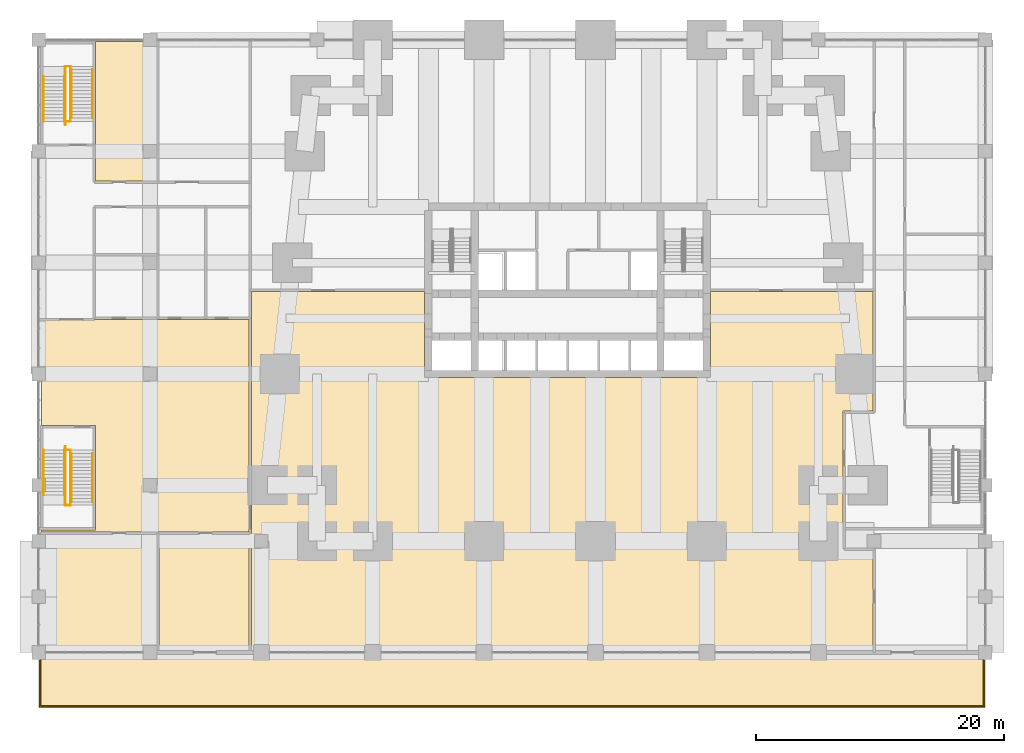
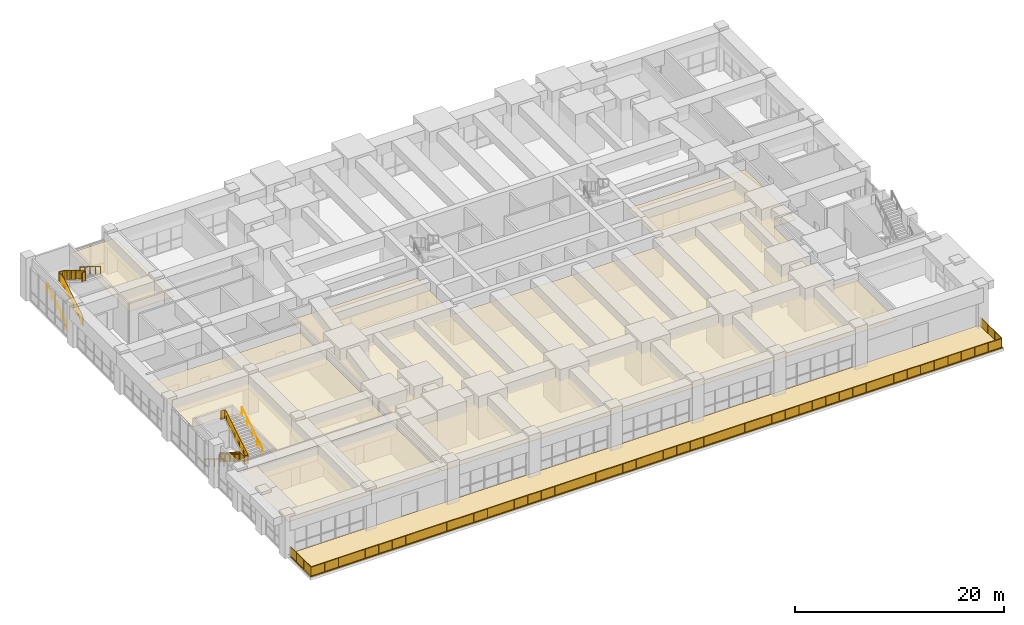
# One storey, part 25 of 27: 13 railings, 6 coverings.
"""IFC4 building model written with IfcOpenShell, lengths in metres."""

from ifc_helpers import new_model, si_unit, direction, frame, origin, origin_2d, place, context, subcontext, project, spatial, polyline, circle, outline, extrude, material, layer, layer_set, type_object, element, save


model = new_model("IFC4")

# Units and contexts
model_context = context("Model", 3, precision=1e-05, world=origin(), true_north=direction((0.0, 1.0)))
body_context = subcontext(model_context, "Body", "Model", "MODEL_VIEW")
ifc_project = project(units=[si_unit("LENGTHUNIT", "METRE"), si_unit("AREAUNIT", "SQUARE_METRE"), si_unit("VOLUMEUNIT", "CUBIC_METRE"), si_unit("PLANEANGLEUNIT", "RADIAN"), si_unit("MASSUNIT", "GRAM", prefix="KILO")], contexts=[model_context])

# Site, building, storey
site_placement = place(None, origin())
site = spatial("IfcSite", under=ifc_project, at=site_placement, CompositionType="ELEMENT")
building_placement = place(site_placement, origin())
building = spatial("IfcBuilding", under=site, at=building_placement, Name="Kilele Tower Hotel", CompositionType="ELEMENT")
storey_placement = place(building_placement, frame((0.0, 0.0, 6.0)))
storey = spatial("IfcBuildingStorey", under=building, at=storey_placement, Name="L01", CompositionType="ELEMENT", Elevation=6.0)

# Railings
ifc_material_1 = material(Name="Toughened laminated glass balustrade", Category="glass")
railing_type_1 = type_object("IfcRailingType", Name="Glass balustrade 1100", PredefinedType="BALUSTRADE", material=ifc_material_1)
railing_1_placement = place(storey_placement, frame((58.35009765625, -9.300048828125, 0.050048828125)))
element("IfcRailing", 1, at=railing_1_placement, inside=storey, type_object=railing_type_1, Name="Terrace balustrade", PredefinedType="BALUSTRADE", context=body_context, shape_type="SweptSolid", body=[
    extrude(circle(Radius=0.030029296875, at=origin_2d()), frame((0.0, 0.0, 1.070068359375), z_axis=(0.0, -1.0, 0.0), x_axis=(1.0, 0.0, 0.0)), (0.0, 0.0, 1.0), 4.050048828125),
    extrude(circle(Radius=0.030029296875, at=origin_2d()), frame((0.0, -4.050048828125, 1.070068359375), z_axis=(-1.0, 0.0, 0.0), x_axis=(0.0, -1.0, 0.0)), (0.0, 0.0, 1.0), 76.2001953125),
    extrude(circle(Radius=0.030029296875, at=origin_2d()), frame((-76.2001953125, -4.050048828125, 1.070068359375), z_axis=(0.0, 1.0, 0.0), x_axis=(-1.0, 0.0, 0.0)), (0.0, 0.0, 1.0), 4.050048828125),
    extrude(circle(Radius=0.02490234375, at=origin_2d()), origin(), (0.0, 0.0, 1.0), 1.0400390625),
    extrude(circle(Radius=0.02490234375, at=origin_2d()), frame((0.0, -1.35009765625, 0.0)), (0.0, 0.0, 1.0), 1.0400390625),
    extrude(circle(Radius=0.02490234375, at=origin_2d()), frame((0.0, -2.699951171875, 0.0)), (0.0, 0.0, 1.0), 1.0400390625),
    extrude(circle(Radius=0.02490234375, at=origin_2d()), frame((0.0, -4.050048828125, 0.0)), (0.0, 0.0, 1.0), 1.0400390625),
    extrude(circle(Radius=0.02490234375, at=origin_2d()), frame((-1.494140625, -4.050048828125, 0.0)), (0.0, 0.0, 1.0), 1.0400390625),
    extrude(circle(Radius=0.02490234375, at=origin_2d()), frame((-2.98828125, -4.050048828125, 0.0)), (0.0, 0.0, 1.0), 1.0400390625),
    extrude(circle(Radius=0.02490234375, at=origin_2d()), frame((-4.482421875, -4.050048828125, 0.0)), (0.0, 0.0, 1.0), 1.0400390625),
    extrude(circle(Radius=0.02490234375, at=origin_2d()), frame((-5.9765625, -4.050048828125, 0.0)), (0.0, 0.0, 1.0), 1.0400390625),
    extrude(circle(Radius=0.02490234375, at=origin_2d()), frame((-7.470703125, -4.050048828125, 0.0)), (0.0, 0.0, 1.0), 1.0400390625),
    extrude(circle(Radius=0.02490234375, at=origin_2d()), frame((-8.96484375, -4.050048828125, 0.0)), (0.0, 0.0, 1.0), 1.0400390625),
    extrude(circle(Radius=0.02490234375, at=origin_2d()), frame((-10.458740234375, -4.050048828125, 0.0)), (0.0, 0.0, 1.0), 1.0400390625),
    extrude(circle(Radius=0.02490234375, at=origin_2d()), frame((-11.952880859375, -4.050048828125, 0.0)), (0.0, 0.0, 1.0), 1.0400390625),
    extrude(circle(Radius=0.02490234375, at=origin_2d()), frame((-13.447021484375, -4.050048828125, 0.0)), (0.0, 0.0, 1.0), 1.0400390625),
    extrude(circle(Radius=0.02490234375, at=origin_2d()), frame((-14.941162109375, -4.050048828125, 0.0)), (0.0, 0.0, 1.0), 1.0400390625),
    extrude(circle(Radius=0.02490234375, at=origin_2d()), frame((-16.435302734375, -4.050048828125, 0.0)), (0.0, 0.0, 1.0), 1.0400390625),
    extrude(circle(Radius=0.02490234375, at=origin_2d()), frame((-17.929443359375, -4.050048828125, 0.0)), (0.0, 0.0, 1.0), 1.0400390625),
    extrude(circle(Radius=0.02490234375, at=origin_2d()), frame((-19.423583984375, -4.050048828125, 0.0)), (0.0, 0.0, 1.0), 1.0400390625),
    extrude(circle(Radius=0.02490234375, at=origin_2d()), frame((-20.917724609375, -4.050048828125, 0.0)), (0.0, 0.0, 1.0), 1.0400390625),
    extrude(circle(Radius=0.02490234375, at=origin_2d()), frame((-22.411865234375, -4.050048828125, 0.0)), (0.0, 0.0, 1.0), 1.0400390625),
    extrude(circle(Radius=0.02490234375, at=origin_2d()), frame((-23.906005859375, -4.050048828125, 0.0)), (0.0, 0.0, 1.0), 1.0400390625),
    extrude(circle(Radius=0.02490234375, at=origin_2d()), frame((-25.400146484375, -4.050048828125, 0.0)), (0.0, 0.0, 1.0), 1.0400390625),
    extrude(circle(Radius=0.02490234375, at=origin_2d()), frame((-26.894287109375, -4.050048828125, 0.0)), (0.0, 0.0, 1.0), 1.0400390625),
    extrude(circle(Radius=0.02490234375, at=origin_2d()), frame((-28.388427734375, -4.050048828125, 0.0)), (0.0, 0.0, 1.0), 1.0400390625),
    extrude(circle(Radius=0.02490234375, at=origin_2d()), frame((-29.88232421875, -4.050048828125, 0.0)), (0.0, 0.0, 1.0), 1.0400390625),
    extrude(circle(Radius=0.02490234375, at=origin_2d()), frame((-31.37646484375, -4.050048828125, 0.0)), (0.0, 0.0, 1.0), 1.0400390625),
    extrude(circle(Radius=0.02490234375, at=origin_2d()), frame((-32.87060546875, -4.050048828125, 0.0)), (0.0, 0.0, 1.0), 1.0400390625),
    extrude(circle(Radius=0.02490234375, at=origin_2d()), frame((-34.36474609375, -4.050048828125, 0.0)), (0.0, 0.0, 1.0), 1.0400390625),
    extrude(circle(Radius=0.02490234375, at=origin_2d()), frame((-35.85888671875, -4.050048828125, 0.0)), (0.0, 0.0, 1.0), 1.0400390625),
    extrude(circle(Radius=0.02490234375, at=origin_2d()), frame((-37.35302734375, -4.050048828125, 0.0)), (0.0, 0.0, 1.0), 1.0400390625),
    extrude(circle(Radius=0.02490234375, at=origin_2d()), frame((-38.84716796875, -4.050048828125, 0.0)), (0.0, 0.0, 1.0), 1.0400390625),
    extrude(circle(Radius=0.02490234375, at=origin_2d()), frame((-40.34130859375, -4.050048828125, 0.0)), (0.0, 0.0, 1.0), 1.0400390625),
    extrude(circle(Radius=0.02490234375, at=origin_2d()), frame((-41.83544921875, -4.050048828125, 0.0)), (0.0, 0.0, 1.0), 1.0400390625),
    extrude(circle(Radius=0.02490234375, at=origin_2d()), frame((-43.32958984375, -4.050048828125, 0.0)), (0.0, 0.0, 1.0), 1.0400390625),
    extrude(circle(Radius=0.02490234375, at=origin_2d()), frame((-44.82373046875, -4.050048828125, 0.0)), (0.0, 0.0, 1.0), 1.0400390625),
    extrude(circle(Radius=0.02490234375, at=origin_2d()), frame((-46.31787109375, -4.050048828125, 0.0)), (0.0, 0.0, 1.0), 1.0400390625),
    extrude(circle(Radius=0.02490234375, at=origin_2d()), frame((-47.811767578125, -4.050048828125, 0.0)), (0.0, 0.0, 1.0), 1.0400390625),
    extrude(circle(Radius=0.02490234375, at=origin_2d()), frame((-49.305908203125, -4.050048828125, 0.0)), (0.0, 0.0, 1.0), 1.0400390625),
    extrude(circle(Radius=0.02490234375, at=origin_2d()), frame((-50.800048828125, -4.050048828125, 0.0)), (0.0, 0.0, 1.0), 1.0400390625),
    extrude(circle(Radius=0.02490234375, at=origin_2d()), frame((-52.294189453125, -4.050048828125, 0.0)), (0.0, 0.0, 1.0), 1.0400390625),
    extrude(circle(Radius=0.02490234375, at=origin_2d()), frame((-53.788330078125, -4.050048828125, 0.0)), (0.0, 0.0, 1.0), 1.0400390625),
    extrude(circle(Radius=0.02490234375, at=origin_2d()), frame((-55.282470703125, -4.050048828125, 0.0)), (0.0, 0.0, 1.0), 1.0400390625),
    extrude(circle(Radius=0.02490234375, at=origin_2d()), frame((-56.776611328125, -4.050048828125, 0.0)), (0.0, 0.0, 1.0), 1.0400390625),
    extrude(circle(Radius=0.02490234375, at=origin_2d()), frame((-58.270751953125, -4.050048828125, 0.0)), (0.0, 0.0, 1.0), 1.0400390625),
    extrude(circle(Radius=0.02490234375, at=origin_2d()), frame((-59.764892578125, -4.050048828125, 0.0)), (0.0, 0.0, 1.0), 1.0400390625),
    extrude(circle(Radius=0.02490234375, at=origin_2d()), frame((-61.259033203125, -4.050048828125, 0.0)), (0.0, 0.0, 1.0), 1.0400390625),
    extrude(circle(Radius=0.02490234375, at=origin_2d()), frame((-62.753173828125, -4.050048828125, 0.0)), (0.0, 0.0, 1.0), 1.0400390625),
    extrude(circle(Radius=0.02490234375, at=origin_2d()), frame((-64.247314453125, -4.050048828125, 0.0)), (0.0, 0.0, 1.0), 1.0400390625),
    extrude(circle(Radius=0.02490234375, at=origin_2d()), frame((-65.741455078125, -4.050048828125, 0.0)), (0.0, 0.0, 1.0), 1.0400390625),
    extrude(circle(Radius=0.02490234375, at=origin_2d()), frame((-67.2353515625, -4.050048828125, 0.0)), (0.0, 0.0, 1.0), 1.0400390625),
    extrude(circle(Radius=0.02490234375, at=origin_2d()), frame((-68.7294921875, -4.050048828125, 0.0)), (0.0, 0.0, 1.0), 1.0400390625),
    extrude(circle(Radius=0.02490234375, at=origin_2d()), frame((-70.2236328125, -4.050048828125, 0.0)), (0.0, 0.0, 1.0), 1.0400390625),
    extrude(circle(Radius=0.02490234375, at=origin_2d()), frame((-71.7177734375, -4.050048828125, 0.0)), (0.0, 0.0, 1.0), 1.0400390625),
    extrude(circle(Radius=0.02490234375, at=origin_2d()), frame((-73.2119140625, -4.050048828125, 0.0)), (0.0, 0.0, 1.0), 1.0400390625),
    extrude(circle(Radius=0.02490234375, at=origin_2d()), frame((-74.7060546875, -4.050048828125, 0.0)), (0.0, 0.0, 1.0), 1.0400390625),
    extrude(circle(Radius=0.02490234375, at=origin_2d()), frame((-76.2001953125, -4.050048828125, 0.0)), (0.0, 0.0, 1.0), 1.0400390625),
    extrude(circle(Radius=0.02490234375, at=origin_2d()), frame((-76.2001953125, -2.699951171875, 0.0)), (0.0, 0.0, 1.0), 1.0400390625),
    extrude(circle(Radius=0.02490234375, at=origin_2d()), frame((-76.2001953125, -1.35009765625, 0.0)), (0.0, 0.0, 1.0), 1.0400390625),
    extrude(circle(Radius=0.02490234375, at=origin_2d()), frame((-76.2001953125, 0.0, 0.0)), (0.0, 0.0, 1.0), 1.0400390625),
    extrude(outline(polyline([(0.0, 0.030029296875), (4.03759765625, 0.030029296875), (4.03759765625, 1.0400390625), (0.0, 1.0400390625), (0.0, 0.030029296875)])), frame((0.0087890625, 0.0, 0.0), z_axis=(-1.0, 0.0, 0.0), x_axis=(0.0, -1.0, 0.0)), (0.0, 0.0, 1.0), 0.017578125),
    extrude(outline(polyline([(0.012451171875, 0.030029296875), (76.187744140625, 0.030029296875), (76.187744140625, 1.0400390625), (0.012451171875, 1.0400390625), (0.012451171875, 0.030029296875)])), frame((0.0, -4.058837890625, 0.0), z_axis=(0.0, 1.0, 0.0), x_axis=(-1.0, 0.0, 0.0)), (0.0, 0.0, 1.0), 0.017578125),
    extrude(outline(polyline([(0.012451171875, 0.030029296875), (4.050048828125, 0.030029296875), (4.050048828125, 1.0400390625), (0.012451171875, 1.0400390625), (0.012451171875, 0.030029296875)])), frame((-76.208984375, -4.050048828125, 0.0), z_axis=(1.0, 0.0, 0.0), x_axis=(0.0, 1.0, 0.0)), (0.0, 0.0, 1.0), 0.017578125),
])
ifc_material_2 = material(Name="Steel handrail", Category="steel")
railing_type_2 = type_object("IfcRailingType", Name="Handrail 900", PredefinedType="HANDRAIL", material=ifc_material_2)
for number, where, name in (
    (2, (-17.60009765625, 33.89990234375, 0.17236328125), "Handrail ST3 flight 1"),
    (3, (-15.89990234375, 33.89990234375, 0.17236328125), "Handrail ST3 flight 1"),
):
    element("IfcRailing", number, at=place(storey_placement, frame(where)), inside=storey, type_object=railing_type_2, Name=name, PredefinedType="HANDRAIL", context=body_context, shape_type="SweptSolid", body=[
        extrude(circle(Radius=0.02490234375, at=origin_2d()), frame((0.0, 0.0, 0.875), z_axis=(0.0, 0.851515141431, 0.524330014318), x_axis=(-1.0, 0.0, 0.0)), (0.0, 0.0, 1.0), 4.27490234375),
        extrude(circle(Radius=0.02001953125, at=origin_2d()), origin(), (0.0, 0.0, 1.0), 0.849853515625),
        extrude(circle(Radius=0.02001953125, at=origin_2d()), frame((0.0, 0.91015625, 0.560302734375)), (0.0, 0.0, 1.0), 0.849853515625),
        extrude(circle(Radius=0.02001953125, at=origin_2d()), frame((0.0, 1.820068359375, 1.12060546875)), (0.0, 0.0, 1.0), 0.849853515625),
        extrude(circle(Radius=0.02001953125, at=origin_2d()), frame((0.0, 2.72998046875, 1.68115234375)), (0.0, 0.0, 1.0), 0.849853515625),
        extrude(circle(Radius=0.02001953125, at=origin_2d()), frame((0.0, 3.64013671875, 2.241455078125)), (0.0, 0.0, 1.0), 0.849853515625),
    ])
for number, where, name in (
    (4, (-15.35009765625, 38.0849609375, 2.586181640625), "Handrail ST3 flight 2"),
    (5, (-13.64990234375, 38.0849609375, 2.586181640625), "Handrail ST3 flight 2"),
):
    element("IfcRailing", number, at=place(storey_placement, frame(where)), inside=storey, type_object=railing_type_2, Name=name, PredefinedType="HANDRAIL", context=body_context, shape_type="SweptSolid", body=[
        extrude(circle(Radius=0.02490234375, at=origin_2d()), frame((0.0, 0.0, 0.875), z_axis=(0.0, -0.851507146974, 0.524342997143), x_axis=(1.0, 0.0, 0.0)), (0.0, 0.0, 1.0), 4.603515625),
        extrude(circle(Radius=0.02001953125, at=origin_2d()), origin(), (0.0, 0.0, 1.0), 0.849853515625),
        extrude(circle(Radius=0.02001953125, at=origin_2d()), frame((0.0, -0.97998046875, 0.603515625)), (0.0, 0.0, 1.0), 0.849853515625),
        extrude(circle(Radius=0.02001953125, at=origin_2d()), frame((0.0, -1.9599609375, 1.20703125)), (0.0, 0.0, 1.0), 0.849853515625),
        extrude(circle(Radius=0.02001953125, at=origin_2d()), frame((0.0, -2.93994140625, 1.810302734375)), (0.0, 0.0, 1.0), 0.849853515625),
        extrude(circle(Radius=0.02001953125, at=origin_2d()), frame((0.0, -3.919921875, 2.413818359375)), (0.0, 0.0, 1.0), 0.849853515625),
    ])
for number, where, name in (
    (6, (-17.60009765625, 7.35009765625, 0.17236328125), "Handrail ST4 flight 1"),
    (7, (-15.89990234375, 7.35009765625, 0.17236328125), "Handrail ST4 flight 1"),
):
    element("IfcRailing", number, at=place(storey_placement, frame(where)), inside=storey, type_object=railing_type_2, Name=name, PredefinedType="HANDRAIL", context=body_context, shape_type="SweptSolid", body=[
        extrude(circle(Radius=0.02490234375, at=origin_2d()), frame((0.0, 0.0, 0.875), z_axis=(0.0, -0.851515141431, 0.524330014318), x_axis=(1.0, 0.0, 0.0)), (0.0, 0.0, 1.0), 4.27490234375),
        extrude(circle(Radius=0.02001953125, at=origin_2d()), origin(), (0.0, 0.0, 1.0), 0.849853515625),
        extrude(circle(Radius=0.02001953125, at=origin_2d()), frame((0.0, -0.91015625, 0.560302734375)), (0.0, 0.0, 1.0), 0.849853515625),
        extrude(circle(Radius=0.02001953125, at=origin_2d()), frame((0.0, -1.820068359375, 1.12060546875)), (0.0, 0.0, 1.0), 0.849853515625),
        extrude(circle(Radius=0.02001953125, at=origin_2d()), frame((0.0, -2.72998046875, 1.68115234375)), (0.0, 0.0, 1.0), 0.849853515625),
        extrude(circle(Radius=0.02001953125, at=origin_2d()), frame((0.0, -3.64013671875, 2.241455078125)), (0.0, 0.0, 1.0), 0.849853515625),
    ])
for number, where, name in (
    (8, (-15.35009765625, 3.1650390625, 2.586181640625), "Handrail ST4 flight 2"),
    (9, (-13.64990234375, 3.1650390625, 2.586181640625), "Handrail ST4 flight 2"),
):
    element("IfcRailing", number, at=place(storey_placement, frame(where)), inside=storey, type_object=railing_type_2, Name=name, PredefinedType="HANDRAIL", context=body_context, shape_type="SweptSolid", body=[
        extrude(circle(Radius=0.02490234375, at=origin_2d()), frame((0.0, 0.0, 0.875), z_axis=(0.0, 0.851507146974, 0.524342997143), x_axis=(-1.0, 0.0, 0.0)), (0.0, 0.0, 1.0), 4.603515625),
        extrude(circle(Radius=0.02001953125, at=origin_2d()), origin(), (0.0, 0.0, 1.0), 0.849853515625),
        extrude(circle(Radius=0.02001953125, at=origin_2d()), frame((0.0, 0.97998046875, 0.603515625)), (0.0, 0.0, 1.0), 0.849853515625),
        extrude(circle(Radius=0.02001953125, at=origin_2d()), frame((0.0, 1.9599609375, 1.20703125)), (0.0, 0.0, 1.0), 0.849853515625),
        extrude(circle(Radius=0.02001953125, at=origin_2d()), frame((0.0, 2.93994140625, 1.810302734375)), (0.0, 0.0, 1.0), 0.849853515625),
        extrude(circle(Radius=0.02001953125, at=origin_2d()), frame((0.0, 3.919921875, 2.413818359375)), (0.0, 0.0, 1.0), 0.849853515625),
    ])
ifc_material_3 = material(Name="Steel guard", Category="steel")
railing_type_3 = type_object("IfcRailingType", Name="Stair guard 1100", PredefinedType="GUARDRAIL", material=ifc_material_3)
railing_2_placement = place(storey_placement, frame((-15.840087890625, 33.6201171875, 0.0)))
element("IfcRailing", 10, at=railing_2_placement, inside=storey, type_object=railing_type_3, Name="Stair well guard ST3 flight 1", PredefinedType="GUARDRAIL", context=body_context, shape_type="SweptSolid", body=[
    extrude(circle(Radius=0.02490234375, at=origin_2d()), frame((0.0, 0.0, 1.0751953125), z_axis=(0.0, 0.851507146974, 0.524342997143), x_axis=(-1.0, 0.0, 0.0)), (0.0, 0.0, 1.0), 4.603515625),
    extrude(circle(Radius=0.02490234375, at=origin_2d()), frame((0.0, 3.919921875, 3.48876953125), z_axis=(0.0, 1.0, 0.0), x_axis=(-1.0, 0.0, 0.0)), (0.0, 0.0, 1.0), 0.81005859375),
    extrude(circle(Radius=0.02490234375, at=origin_2d()), frame((0.0, 4.72998046875, 3.48876953125), z_axis=(1.0, 0.0, 0.0), x_axis=(0.0, 1.0, 0.0)), (0.0, 0.0, 1.0), 0.43017578125),
    extrude(circle(Radius=0.02490234375, at=origin_2d()), origin(), (0.0, 0.0, 1.0), 1.050048828125),
    extrude(circle(Radius=0.02490234375, at=origin_2d()), frame((0.0, 0.97998046875, 0.603515625)), (0.0, 0.0, 1.0), 1.050048828125),
    extrude(circle(Radius=0.02490234375, at=origin_2d()), frame((0.0, 1.9599609375, 1.20703125)), (0.0, 0.0, 1.0), 1.050048828125),
    extrude(circle(Radius=0.02490234375, at=origin_2d()), frame((0.0, 2.93994140625, 1.810302734375)), (0.0, 0.0, 1.0), 1.050048828125),
    extrude(circle(Radius=0.02490234375, at=origin_2d()), frame((0.0, 3.919921875, 2.413818359375)), (0.0, 0.0, 1.0), 1.050048828125),
    extrude(circle(Radius=0.02490234375, at=origin_2d()), frame((0.0, 4.72998046875, 2.413818359375)), (0.0, 0.0, 1.0), 1.050048828125),
    extrude(circle(Radius=0.02490234375, at=origin_2d()), frame((0.43017578125, 4.72998046875, 2.413818359375)), (0.0, 0.0, 1.0), 1.050048828125),
    extrude(outline(polyline([(0.012451171875, 0.030029296875), (0.25, 0.030029296875), (0.25, 0.202392578125), (0.530029296875, 0.202392578125), (0.530029296875, 0.374755859375), (0.81005859375, 0.374755859375), (0.81005859375, 0.54736328125), (1.08984375, 0.54736328125), (1.08984375, 0.7197265625), (1.369873046875, 0.7197265625), (1.369873046875, 0.89208984375), (1.64990234375, 0.89208984375), (1.64990234375, 1.064453125), (1.929931640625, 1.064453125), (1.929931640625, 1.23681640625), (2.2099609375, 1.23681640625), (2.2099609375, 1.409423828125), (2.489990234375, 1.409423828125), (2.489990234375, 1.581787109375), (2.77001953125, 1.581787109375), (2.77001953125, 1.754150390625), (3.0498046875, 1.754150390625), (3.0498046875, 1.926513671875), (3.329833984375, 1.926513671875), (3.329833984375, 2.09912109375), (3.60986328125, 2.09912109375), (3.60986328125, 2.271484375), (3.889892578125, 2.271484375), (3.889892578125, 2.44384765625), (3.907470703125, 2.44384765625), (3.907470703125, 3.451904296875), (0.012451171875, 1.053466796875), (0.012451171875, 0.030029296875)])), frame((-0.005859375, 0.0, 0.0), z_axis=(1.0, 0.0, 0.0), x_axis=(0.0, 1.0, 0.0)), (0.0, 0.0, 1.0), 0.011962890625),
    extrude(outline(polyline([(0.012451171875, 0.030029296875), (0.797607421875, 0.030029296875), (0.797607421875, 1.050048828125), (0.012451171875, 1.050048828125), (0.012451171875, 0.030029296875)])), frame((-0.005859375, 3.919921875, 2.413818359375), z_axis=(1.0, 0.0, 0.0), x_axis=(0.0, 1.0, 0.0)), (0.0, 0.0, 1.0), 0.011962890625),
    extrude(outline(polyline([(0.012451171875, 0.030029296875), (0.43017578125, 0.030029296875), (0.43017578125, 1.050048828125), (0.012451171875, 1.050048828125), (0.012451171875, 0.030029296875)])), frame((0.0, 4.73583984375, 2.413818359375), z_axis=(0.0, -1.0, 0.0), x_axis=(1.0, 0.0, 0.0)), (0.0, 0.0, 1.0), 0.011962890625),
])
railing_3_placement = place(storey_placement, frame((-15.409912109375, 38.35009765625, 2.413818359375)))
element("IfcRailing", 11, at=railing_3_placement, inside=storey, type_object=railing_type_3, Name="Stair well guard ST3 flight 2", PredefinedType="GUARDRAIL", context=body_context, shape_type="SweptSolid", body=[
    extrude(circle(Radius=0.02490234375, at=origin_2d()), frame((0.0, 0.0, 1.0751953125), z_axis=(0.0, -0.850680515596, 0.525683041752), x_axis=(1.0, 0.0, 0.0)), (0.0, 0.0, 1.0), 4.919677734375),
    extrude(circle(Radius=0.02490234375, at=origin_2d()), frame((0.0, -4.18505859375, 3.6611328125), z_axis=(0.0, -1.0, 0.0), x_axis=(1.0, 0.0, 0.0)), (0.0, 0.0, 1.0), 0.26513671875),
    extrude(circle(Radius=0.02490234375, at=origin_2d()), frame((0.0, -4.4501953125, 3.6611328125), z_axis=(-1.0, 0.0, 0.0), x_axis=(0.0, -1.0, 0.0)), (0.0, 0.0, 1.0), 0.43017578125),
    extrude(circle(Radius=0.02490234375, at=origin_2d()), origin(), (0.0, 0.0, 1.0), 1.050048828125),
    extrude(circle(Radius=0.02490234375, at=origin_2d()), frame((0.0, -0.8369140625, 0.517333984375)), (0.0, 0.0, 1.0), 1.050048828125),
    extrude(circle(Radius=0.02490234375, at=origin_2d()), frame((0.0, -1.674072265625, 1.034423828125)), (0.0, 0.0, 1.0), 1.050048828125),
    extrude(circle(Radius=0.02490234375, at=origin_2d()), frame((0.0, -2.510986328125, 1.5517578125)), (0.0, 0.0, 1.0), 1.050048828125),
    extrude(circle(Radius=0.02490234375, at=origin_2d()), frame((0.0, -3.34814453125, 2.06884765625)), (0.0, 0.0, 1.0), 1.050048828125),
    extrude(circle(Radius=0.02490234375, at=origin_2d()), frame((0.0, -4.18505859375, 2.586181640625)), (0.0, 0.0, 1.0), 1.050048828125),
    extrude(circle(Radius=0.02490234375, at=origin_2d()), frame((0.0, -4.4501953125, 2.586181640625)), (0.0, 0.0, 1.0), 1.050048828125),
    extrude(circle(Radius=0.02490234375, at=origin_2d()), frame((-0.43017578125, -4.4501953125, 2.586181640625)), (0.0, 0.0, 1.0), 1.050048828125),
    extrude(outline(polyline([(0.0, 0.030029296875), (4.172607421875, 2.6083984375), (4.172607421875, 3.6240234375), (0.0, 1.045654296875), (0.0, 0.030029296875)])), frame((0.005859375, 0.0, 0.0), z_axis=(-1.0, 0.0, 0.0), x_axis=(0.0, -1.0, 0.0)), (0.0, 0.0, 1.0), 0.011962890625),
    extrude(outline(polyline([(0.012451171875, 0.030029296875), (0.252685546875, 0.030029296875), (0.252685546875, 1.050048828125), (0.012451171875, 1.050048828125), (0.012451171875, 0.030029296875)])), frame((0.005859375, -4.18505859375, 2.586181640625), z_axis=(-1.0, 0.0, 0.0), x_axis=(0.0, -1.0, 0.0)), (0.0, 0.0, 1.0), 0.011962890625),
    extrude(outline(polyline([(0.012451171875, 0.030029296875), (0.43017578125, 0.030029296875), (0.43017578125, 1.050048828125), (0.012451171875, 1.050048828125), (0.012451171875, 0.030029296875)])), frame((0.0, -4.4560546875, 2.586181640625), z_axis=(0.0, 1.0, 0.0), x_axis=(-1.0, 0.0, 0.0)), (0.0, 0.0, 1.0), 0.011962890625),
])
railing_4_placement = place(storey_placement, frame((-15.840087890625, 7.6298828125, 0.0)))
element("IfcRailing", 12, at=railing_4_placement, inside=storey, type_object=railing_type_3, Name="Stair well guard ST4 flight 1", PredefinedType="GUARDRAIL", context=body_context, shape_type="SweptSolid", body=[
    extrude(circle(Radius=0.02490234375, at=origin_2d()), frame((0.0, 0.0, 1.0751953125), z_axis=(0.0, -0.851507146974, 0.524342997143), x_axis=(1.0, 0.0, 0.0)), (0.0, 0.0, 1.0), 4.603515625),
    extrude(circle(Radius=0.02490234375, at=origin_2d()), frame((0.0, -3.919921875, 3.48876953125), z_axis=(0.0, -1.0, 0.0), x_axis=(1.0, 0.0, 0.0)), (0.0, 0.0, 1.0), 0.81005859375),
    extrude(circle(Radius=0.02490234375, at=origin_2d()), frame((0.0, -4.72998046875, 3.48876953125), z_axis=(1.0, 0.0, 0.0), x_axis=(0.0, 1.0, 0.0)), (0.0, 0.0, 1.0), 0.43017578125),
    extrude(circle(Radius=0.02490234375, at=origin_2d()), origin(), (0.0, 0.0, 1.0), 1.050048828125),
    extrude(circle(Radius=0.02490234375, at=origin_2d()), frame((0.0, -0.97998046875, 0.603515625)), (0.0, 0.0, 1.0), 1.050048828125),
    extrude(circle(Radius=0.02490234375, at=origin_2d()), frame((0.0, -1.9599609375, 1.20703125)), (0.0, 0.0, 1.0), 1.050048828125),
    extrude(circle(Radius=0.02490234375, at=origin_2d()), frame((0.0, -2.93994140625, 1.810302734375)), (0.0, 0.0, 1.0), 1.050048828125),
    extrude(circle(Radius=0.02490234375, at=origin_2d()), frame((0.0, -3.919921875, 2.413818359375)), (0.0, 0.0, 1.0), 1.050048828125),
    extrude(circle(Radius=0.02490234375, at=origin_2d()), frame((0.0, -4.72998046875, 2.413818359375)), (0.0, 0.0, 1.0), 1.050048828125),
    extrude(circle(Radius=0.02490234375, at=origin_2d()), frame((0.43017578125, -4.72998046875, 2.413818359375)), (0.0, 0.0, 1.0), 1.050048828125),
    extrude(outline(polyline([(0.012451171875, 0.030029296875), (0.25, 0.030029296875), (0.25, 0.202392578125), (0.530029296875, 0.202392578125), (0.530029296875, 0.374755859375), (0.81005859375, 0.374755859375), (0.81005859375, 0.54736328125), (1.08984375, 0.54736328125), (1.08984375, 0.7197265625), (1.369873046875, 0.7197265625), (1.369873046875, 0.89208984375), (1.64990234375, 0.89208984375), (1.64990234375, 1.064453125), (1.929931640625, 1.064453125), (1.929931640625, 1.23681640625), (2.2099609375, 1.23681640625), (2.2099609375, 1.409423828125), (2.489990234375, 1.409423828125), (2.489990234375, 1.581787109375), (2.77001953125, 1.581787109375), (2.77001953125, 1.754150390625), (3.0498046875, 1.754150390625), (3.0498046875, 1.926513671875), (3.329833984375, 1.926513671875), (3.329833984375, 2.09912109375), (3.60986328125, 2.09912109375), (3.60986328125, 2.271484375), (3.889892578125, 2.271484375), (3.889892578125, 2.44384765625), (3.907470703125, 2.44384765625), (3.907470703125, 3.451904296875), (0.012451171875, 1.053466796875), (0.012451171875, 0.030029296875)])), frame((0.005859375, 0.0, 0.0), z_axis=(-1.0, 0.0, 0.0), x_axis=(0.0, -1.0, 0.0)), (0.0, 0.0, 1.0), 0.011962890625),
    extrude(outline(polyline([(0.012451171875, 0.030029296875), (0.797607421875, 0.030029296875), (0.797607421875, 1.050048828125), (0.012451171875, 1.050048828125), (0.012451171875, 0.030029296875)])), frame((0.005859375, -3.919921875, 2.413818359375), z_axis=(-1.0, 0.0, 0.0), x_axis=(0.0, -1.0, 0.0)), (0.0, 0.0, 1.0), 0.011962890625),
    extrude(outline(polyline([(0.012451171875, 0.030029296875), (0.43017578125, 0.030029296875), (0.43017578125, 1.050048828125), (0.012451171875, 1.050048828125), (0.012451171875, 0.030029296875)])), frame((0.0, -4.72412109375, 2.413818359375), z_axis=(0.0, -1.0, 0.0), x_axis=(1.0, 0.0, 0.0)), (0.0, 0.0, 1.0), 0.011962890625),
])
railing_5_placement = place(storey_placement, frame((-15.409912109375, 2.89990234375, 2.413818359375)))
element("IfcRailing", 13, at=railing_5_placement, inside=storey, type_object=railing_type_3, Name="Stair well guard ST4 flight 2", PredefinedType="GUARDRAIL", context=body_context, shape_type="SweptSolid", body=[
    extrude(circle(Radius=0.02490234375, at=origin_2d()), frame((0.0, 0.0, 1.0751953125), z_axis=(0.0, 0.850680515596, 0.525683041752), x_axis=(-1.0, 0.0, 0.0)), (0.0, 0.0, 1.0), 4.919677734375),
    extrude(circle(Radius=0.02490234375, at=origin_2d()), frame((0.0, 4.18505859375, 3.6611328125), z_axis=(0.0, 1.0, 0.0), x_axis=(-1.0, 0.0, 0.0)), (0.0, 0.0, 1.0), 0.26513671875),
    extrude(circle(Radius=0.02490234375, at=origin_2d()), frame((0.0, 4.4501953125, 3.6611328125), z_axis=(-1.0, 0.0, 0.0), x_axis=(0.0, -1.0, 0.0)), (0.0, 0.0, 1.0), 0.43017578125),
    extrude(circle(Radius=0.02490234375, at=origin_2d()), origin(), (0.0, 0.0, 1.0), 1.050048828125),
    extrude(circle(Radius=0.02490234375, at=origin_2d()), frame((0.0, 0.8369140625, 0.517333984375)), (0.0, 0.0, 1.0), 1.050048828125),
    extrude(circle(Radius=0.02490234375, at=origin_2d()), frame((0.0, 1.674072265625, 1.034423828125)), (0.0, 0.0, 1.0), 1.050048828125),
    extrude(circle(Radius=0.02490234375, at=origin_2d()), frame((0.0, 2.510986328125, 1.5517578125)), (0.0, 0.0, 1.0), 1.050048828125),
    extrude(circle(Radius=0.02490234375, at=origin_2d()), frame((0.0, 3.34814453125, 2.06884765625)), (0.0, 0.0, 1.0), 1.050048828125),
    extrude(circle(Radius=0.02490234375, at=origin_2d()), frame((0.0, 4.18505859375, 2.586181640625)), (0.0, 0.0, 1.0), 1.050048828125),
    extrude(circle(Radius=0.02490234375, at=origin_2d()), frame((0.0, 4.4501953125, 2.586181640625)), (0.0, 0.0, 1.0), 1.050048828125),
    extrude(circle(Radius=0.02490234375, at=origin_2d()), frame((-0.43017578125, 4.4501953125, 2.586181640625)), (0.0, 0.0, 1.0), 1.050048828125),
    extrude(outline(polyline([(0.0, 0.030029296875), (4.172607421875, 2.6083984375), (4.172607421875, 3.6240234375), (0.0, 1.045654296875), (0.0, 0.030029296875)])), frame((-0.005859375, 0.0, 0.0), z_axis=(1.0, 0.0, 0.0), x_axis=(0.0, 1.0, 0.0)), (0.0, 0.0, 1.0), 0.011962890625),
    extrude(outline(polyline([(0.012451171875, 0.030029296875), (0.252685546875, 0.030029296875), (0.252685546875, 1.050048828125), (0.012451171875, 1.050048828125), (0.012451171875, 0.030029296875)])), frame((-0.005859375, 4.18505859375, 2.586181640625), z_axis=(1.0, 0.0, 0.0), x_axis=(0.0, 1.0, 0.0)), (0.0, 0.0, 1.0), 0.011962890625),
    extrude(outline(polyline([(0.012451171875, 0.030029296875), (0.43017578125, 0.030029296875), (0.43017578125, 1.050048828125), (0.012451171875, 1.050048828125), (0.012451171875, 0.030029296875)])), frame((0.0, 4.4443359375, 2.586181640625), z_axis=(0.0, 1.0, 0.0), x_axis=(-1.0, 0.0, 0.0)), (0.0, 0.0, 1.0), 0.011962890625),
])

# Coverings
ifc_material_4 = material(Name="Gypsum board suspended ceiling", Category="gypsum")
ifc_layer_1 = layer(ifc_material_4, 0.02490234375)
ifc_layer_set_1 = layer_set([ifc_layer_1], Name="Gypsum board suspended ceiling")
covering_type_1 = type_object("IfcCoveringType", Name="Suspended ceiling 25", PredefinedType="CEILING", material=ifc_layer_set_1)
covering_1_placement = place(storey_placement, frame((0.0, 0.0, 3.60009765625)))
element("IfcCovering", 14, at=covering_1_placement, inside=storey, type_object=covering_type_1, Name="Suspended ceiling Finance office", PredefinedType="CEILING", context=body_context, shape_type="SweptSolid", body=[
    extrude(outline(polyline([(-8.449951171875, -8.85009765625), (-17.75, -8.85009765625), (-17.75, 0.550048828125), (-8.449951171875, 0.550048828125), (-8.449951171875, -8.85009765625)])), origin(), (0.0, 0.0, 1.0), 0.02490234375),
])
covering_2_placement = place(storey_placement, frame((0.0, 0.0, 3.60009765625)))
element("IfcCovering", 15, at=covering_2_placement, inside=storey, type_object=covering_type_1, Name="Suspended ceiling General manager's office", PredefinedType="CEILING", context=body_context, shape_type="SweptSolid", body=[
    extrude(outline(polyline([(-1.0, -8.85009765625), (-8.25, -8.85009765625), (-8.25, 0.550048828125), (-1.0, 0.550048828125), (-1.0, -8.85009765625)])), origin(), (0.0, 0.0, 1.0), 0.02490234375),
])
covering_3_placement = place(storey_placement, frame((0.0, 0.0, 3.60009765625)))
element("IfcCovering", 16, at=covering_3_placement, inside=storey, type_object=covering_type_1, Name="Suspended ceiling Administration open office", PredefinedType="CEILING", context=body_context, shape_type="SweptSolid", body=[
    extrude(outline(polyline([(-17.75, 17.89990234375), (-1.0, 17.89990234375), (-1.0, 0.75), (-17.75, 0.75), (-17.75, 0.89990234375), (-13.39990234375, 0.89990234375), (-13.39990234375, 9.35009765625), (-17.75, 9.35009765625), (-17.75, 17.89990234375)])), origin(), (0.0, 0.0, 1.0), 0.02490234375),
])
covering_4_placement = place(storey_placement, frame((0.0, 0.0, 3.60009765625)))
element("IfcCovering", 17, at=covering_4_placement, inside=storey, type_object=covering_type_1, Name="Suspended ceiling Staff room", PredefinedType="CEILING", context=body_context, shape_type="SweptSolid", body=[
    extrude(outline(polyline([(-8.449951171875, 29.10009765625), (-13.39990234375, 29.10009765625), (-13.39990234375, 40.35009765625), (-8.449951171875, 40.35009765625), (-8.449951171875, 29.10009765625)])), origin(), (0.0, 0.0, 1.0), 0.02490234375),
])
covering_5_placement = place(storey_placement, frame((0.0, 0.0, 3.60009765625)))
element("IfcCovering", 18, at=covering_5_placement, inside=storey, type_object=covering_type_1, Name="Suspended ceiling All-day dining restaurant", PredefinedType="CEILING", context=body_context, shape_type="SweptSolid", body=[
    extrude(outline(polyline([(47.0, 10.5), (47.0, -0.75), (49.39990234375, -0.75), (49.39990234375, -8.85009765625), (-0.800048828125, -8.85009765625), (-0.800048828125, 20.14990234375), (13.199951171875, 20.14990234375), (13.199951171875, 13.199951171875), (36.300048828125, 13.199951171875), (36.300048828125, 20.14990234375), (49.39990234375, 20.14990234375), (49.39990234375, 10.5), (47.0, 10.5)])), origin(), (0.0, 0.0, 1.0), 0.02490234375),
])
ifc_material_5 = material(Name="Natural stone paving on pedestals", Category="masonry")
ifc_layer_2 = layer(ifc_material_5, 0.050048828125)
ifc_layer_set_2 = layer_set([ifc_layer_2], Name="Natural stone paving on pedestals")
covering_type_2 = type_object("IfcCoveringType", Name="Terrace paving 50", PredefinedType="FLOORING", material=ifc_layer_set_2)
covering_6_placement = place(storey_placement, origin())
element("IfcCovering", 19, at=covering_6_placement, inside=storey, type_object=covering_type_2, Name="Terrace paving", PredefinedType="FLOORING", context=body_context, shape_type="SweptSolid", body=[
    extrude(outline(polyline([(58.449951171875, -13.449951171875), (-17.949951171875, -13.449951171875), (-17.949951171875, -9.051025390625), (58.449951171875, -9.051025390625), (58.449951171875, -13.449951171875)])), origin(), (0.0, 0.0, 1.0), 0.050048828125),
])

save(model, "model.ifc")
